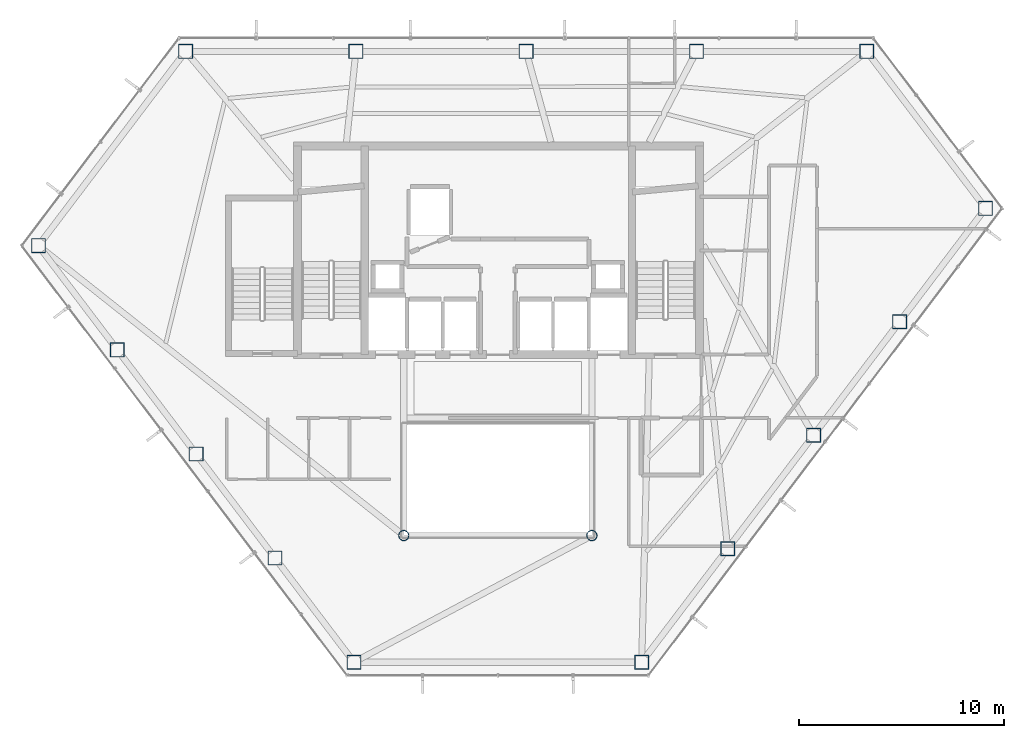
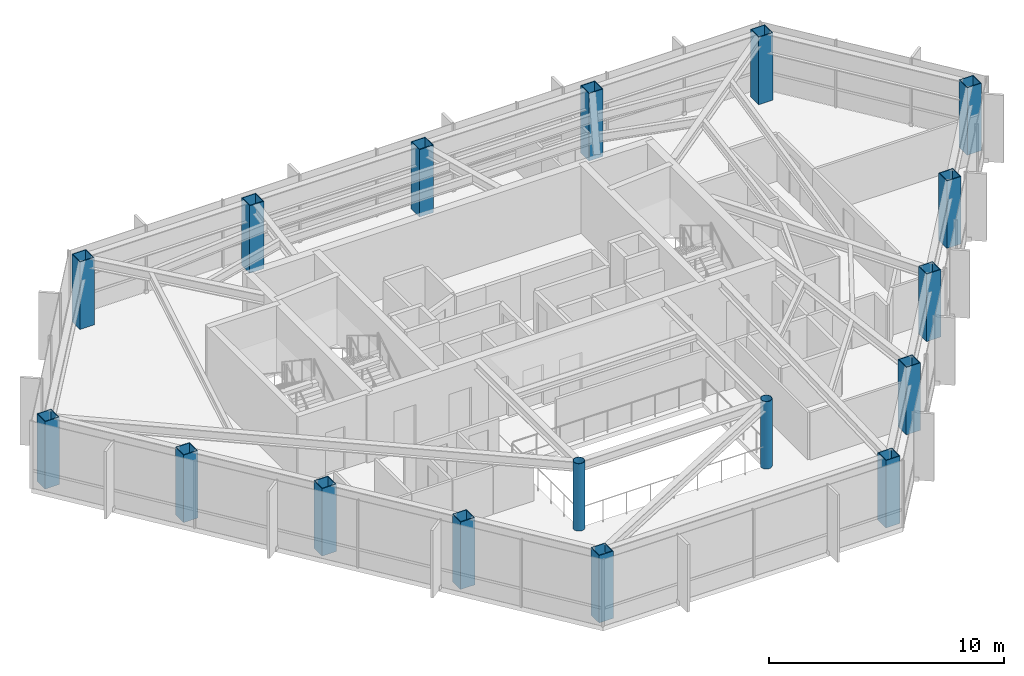
# One storey, part 1 of 27: 17 columns.
"""IFC4 building model written with IfcOpenShell, lengths in metres."""

from ifc_helpers import new_model, si_unit, direction, frame, origin, origin_2d, place, context, subcontext, project, spatial, hollow_rectangle, hollow_circle, extrude, material, material_profile, profile_set, type_object, element, save


model = new_model("IFC4")

# Units and contexts
model_context = context("Model", 3, precision=1e-05, world=origin(), true_north=direction((0.0, 1.0)))
body_context = subcontext(model_context, "Body", "Model", "MODEL_VIEW")
ifc_project = project(units=[si_unit("LENGTHUNIT", "METRE"), si_unit("AREAUNIT", "SQUARE_METRE"), si_unit("VOLUMEUNIT", "CUBIC_METRE"), si_unit("PLANEANGLEUNIT", "RADIAN"), si_unit("MASSUNIT", "GRAM", prefix="KILO")], contexts=[model_context])

# Site, building, storey
site_placement = place(None, origin())
site = spatial("IfcSite", under=ifc_project, at=site_placement, CompositionType="ELEMENT")
building_placement = place(site_placement, origin())
building = spatial("IfcBuilding", under=site, at=building_placement, Name="Zarrinselat Tower", CompositionType="ELEMENT")
storey_placement = place(building_placement, frame((0.0, 0.0, 179.52001953125)))
storey = spatial("IfcBuildingStorey", under=building, at=storey_placement, Name="L44", CompositionType="ELEMENT", Elevation=179.52001953125)

# Columns
ifc_material_1 = material(Name="Steel S355J2", Category="steel")
ifc_material_profile_1 = material_profile(ifc_material_1, hollow_circle(Radius=0.25390625, WallThickness=0.02001953125, at=origin_2d()), Name="CHS 508x20")
ifc_profile_set_1 = profile_set([ifc_material_profile_1], Name="Steel S355J2")
column_type_1 = type_object("IfcColumnType", Name="COL-CHS508", PredefinedType="COLUMN", material=ifc_profile_set_1)
for number, where, z_axis, x_axis, name in (
    (1, (33.800048828125, 24.39990234375, 0.0), (0.0, 0.0, 1.0), (1.0, 0.0, 0.0), "L44 Atrium Corner Column 1"),
    (2, (43.0, 24.39990234375, 0.0), (0.0, 0.0, 1.0), (1.0, 0.0, 0.0), "L44 Atrium Corner Column 2"),
):
    element("IfcColumn", number, at=place(storey_placement, frame(where, z_axis=z_axis, x_axis=x_axis)), inside=storey, type_object=column_type_1, Name=name, PredefinedType="COLUMN", context=body_context, shape_type="SweptSolid", body=[
        extrude(hollow_circle(Radius=0.25390625, WallThickness=0.02001953125, at=origin_2d()), origin(), (0.0, 0.0, 1.0), 3.5),
    ])
ifc_material_2 = material(Name="Steel S355J2", Category="steel")
ifc_material_profile_2 = material_profile(ifc_material_2, hollow_rectangle(XDim=0.699951171875, YDim=0.699951171875, WallThickness=0.034912109375, at=origin_2d()), Name="SHS 700x700x35")
ifc_profile_set_2 = profile_set([ifc_material_profile_2], Name="Steel S355J2")
column_type_2 = type_object("IfcColumnType", Name="COL-SHS700", PredefinedType="COLUMN", material=ifc_profile_set_2)
for number, where, z_axis, x_axis, name in (
    (3, (56.435791015625, 48.072265625, 0.0), (0.0, 0.0, 1.0), (1.0, 0.0, 0.0), "L44 Framed-Tube Column T01"),
    (4, (48.110107421875, 48.072265625, 0.0), (0.0, 0.0, 1.0), (1.0, 0.0, 0.0), "L44 Framed-Tube Column T02"),
    (5, (39.784423828125, 48.072265625, 0.0), (0.0, 0.0, 1.0), (1.0, 0.0, 0.0), "L44 Framed-Tube Column T03"),
    (6, (31.45849609375, 48.072265625, 0.0), (0.0, 0.0, 1.0), (1.0, 0.0, 0.0), "L44 Framed-Tube Column T04"),
    (7, (23.1328125, 48.072265625, 0.0), (0.0, 0.0, 1.0), (1.0, 0.0, 0.0), "L44 Framed-Tube Column T05"),
    (8, (15.935546875, 38.57177734375, 0.0), (0.0, 0.0, 1.0), (1.0, 0.0, 0.0), "L44 Framed-Tube Column T06"),
    (9, (19.79296875, 33.47998046875, 0.0), (0.0, 0.0, 1.0), (1.0, 0.0, 0.0), "L44 Framed-Tube Column T07"),
    (10, (23.650146484375, 28.388427734375, 0.0), (0.0, 0.0, 1.0), (1.0, 0.0, 0.0), "L44 Framed-Tube Column T08"),
    (11, (27.50732421875, 23.296875, 0.0), (0.0, 0.0, 1.0), (1.0, 0.0, 0.0), "L44 Framed-Tube Column T09"),
    (12, (31.364501953125, 18.205322265625, 0.0), (0.0, 0.0, 1.0), (1.0, 0.0, 0.0), "L44 Framed-Tube Column T10"),
    (13, (45.435302734375, 18.205322265625, 0.0), (0.0, 0.0, 1.0), (1.0, 0.0, 0.0), "L44 Framed-Tube Column T11"),
    (14, (49.638916015625, 23.753662109375, 0.0), (0.0, 0.0, 1.0), (1.0, 0.0, 0.0), "L44 Framed-Tube Column T12"),
    (15, (53.842041015625, 29.30224609375, 0.0), (0.0, 0.0, 1.0), (1.0, 0.0, 0.0), "L44 Framed-Tube Column T13"),
    (16, (58.04541015625, 34.8505859375, 0.0), (0.0, 0.0, 1.0), (1.0, 0.0, 0.0), "L44 Framed-Tube Column T14"),
    (17, (62.248779296875, 40.39892578125, 0.0), (0.0, 0.0, 1.0), (1.0, 0.0, 0.0), "L44 Framed-Tube Column T15"),
):
    element("IfcColumn", number, at=place(storey_placement, frame(where, z_axis=z_axis, x_axis=x_axis)), inside=storey, type_object=column_type_2, Name=name, PredefinedType="COLUMN", context=body_context, shape_type="SweptSolid", body=[
        extrude(hollow_rectangle(XDim=0.699951171875, YDim=0.699951171875, WallThickness=0.034912109375, at=origin_2d()), origin(), (0.0, 0.0, 1.0), 3.5),
    ])

save(model, "model.ifc")
